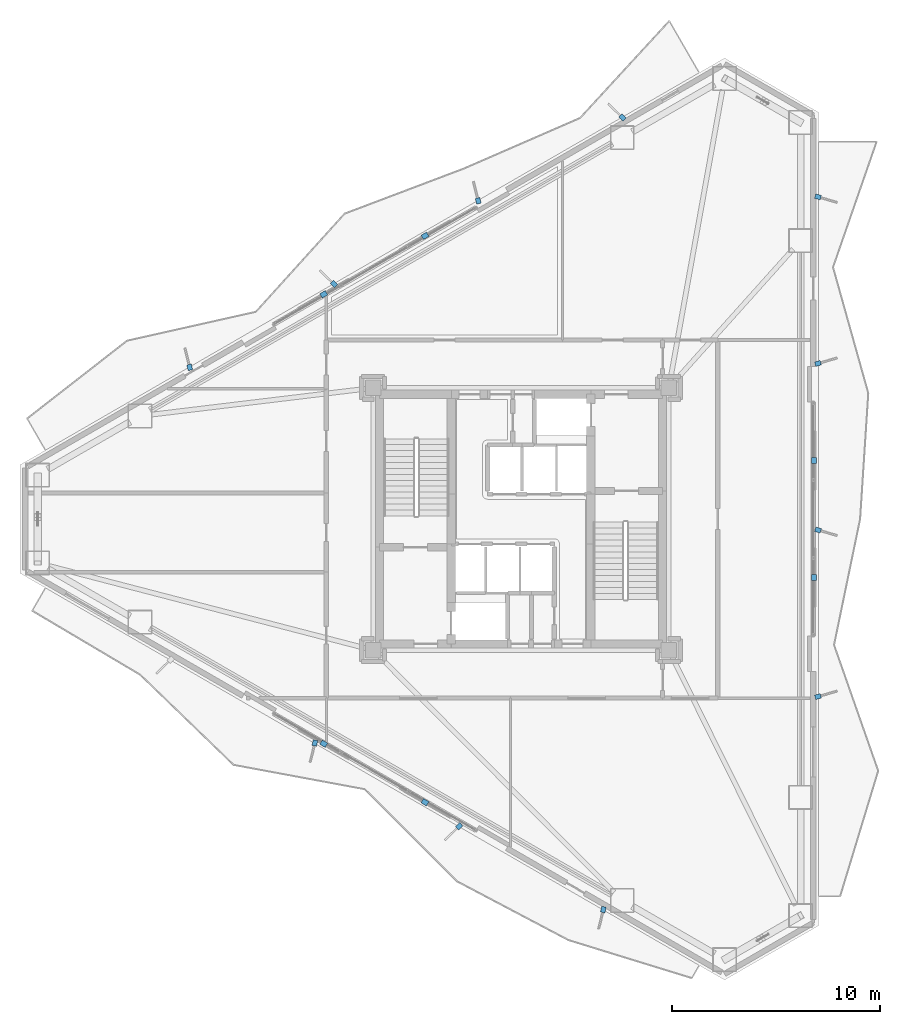
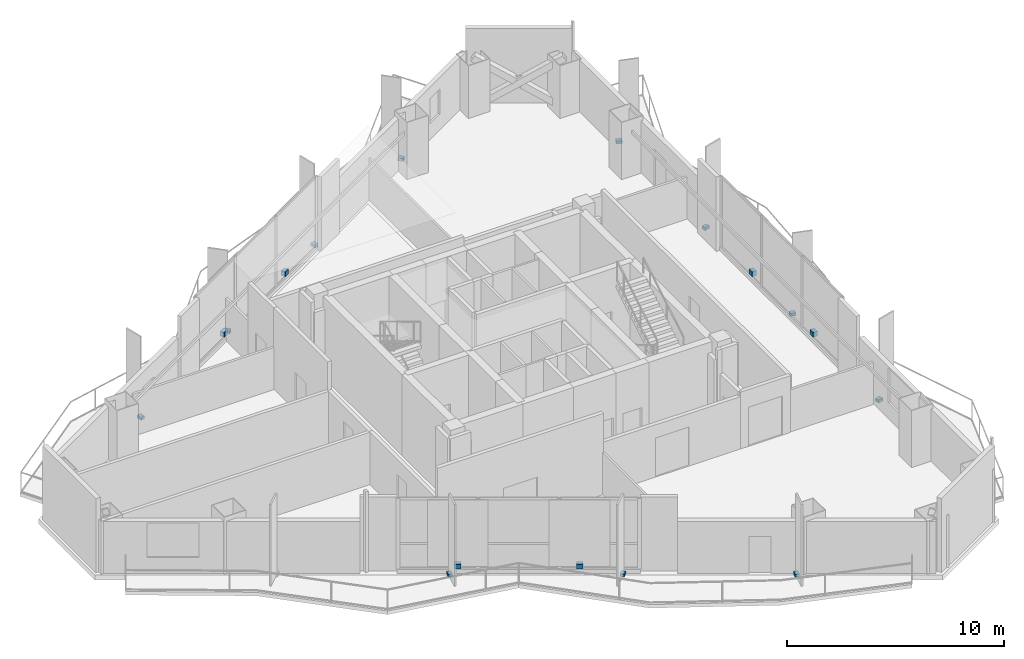
# One storey, part 18 of 20: 17 discrete accessories.
"""IFC4 building model written with IfcOpenShell, lengths in metres."""

from ifc_helpers import new_model, si_unit, direction, frame, origin, origin_2d, place, context, subcontext, project, spatial, rectangle, extrude, material, layer, layer_set, type_object, element, save


model = new_model("IFC4")

# Units and contexts
model_context = context("Model", 3, precision=1e-05, world=origin(), true_north=direction((0.0, 1.0)))
body_context = subcontext(model_context, "Body", "Model", "MODEL_VIEW")
ifc_project = project(units=[si_unit("LENGTHUNIT", "METRE"), si_unit("AREAUNIT", "SQUARE_METRE"), si_unit("VOLUMEUNIT", "CUBIC_METRE"), si_unit("PLANEANGLEUNIT", "RADIAN"), si_unit("MASSUNIT", "GRAM", prefix="KILO")], contexts=[model_context])

# Site, building, storey
site_placement = place(None, origin())
site = spatial("IfcSite", under=ifc_project, at=site_placement, CompositionType="ELEMENT")
building_placement = place(site_placement, origin())
building = spatial("IfcBuilding", under=site, at=building_placement, Name="Mersakhor Tower and Convention Hall", CompositionType="ELEMENT")
storey_placement = place(building_placement, frame((0.0, 0.0, 116.39990234375)))
storey = spatial("IfcBuildingStorey", under=building, at=storey_placement, Name="L32", CompositionType="ELEMENT", Elevation=116.39990234375)

# Discrete accessories
ifc_material = material(Name="Galvanised steel bracket", Category="steel")
ifc_layer = layer(ifc_material, 0.02001953125)
ifc_layer_set = layer_set([ifc_layer], Name="Galvanised steel bracket")
discrete_accessory_type = type_object("IfcDiscreteAccessoryType", Name="ACC-BRK-STL", PredefinedType="BRACKET", material=ifc_layer_set)
for number, where, z_axis, x_axis, name in (
    (1, (19.5263671875, 37.5439453125, 0.2900390625), (0.0, 0.0, 1.0), (0.866025403784, 0.5, 0.0), "L32 Solar Screen Outrigger Bracket BRK-1-1"),
    (2, (24.388916015625, 40.351318359375, 0.2900390625), (0.0, 0.0, 1.0), (0.866025403784, 0.5, 0.0), "L32 Solar Screen Outrigger Bracket BRK-1-2"),
):
    element("IfcDiscreteAccessory", number, at=place(storey_placement, frame(where, z_axis=z_axis, x_axis=x_axis)), inside=storey, type_object=discrete_accessory_type, Name=name, PredefinedType="BRACKET", context=body_context, shape_type="SweptSolid", body=[
        extrude(rectangle(XDim=0.300048828125, YDim=0.239990234375, at=origin_2d()), origin(), (0.0, 0.0, 1.0), 0.260009765625),
    ])
for number, where, z_axis, x_axis, name in (
    (3, (13.08740234375, 34.0341796875, -0.02001953125), (0.0, 0.0, 1.0), (-0.2419218956, 0.970295726276, 0.0), "L32 Facade Fin Base Cleat Bracket FBRK-1-1"),
    (4, (20.015380859375, 38.0341796875, -0.02001953125), (0.0, 0.0, 1.0), (-0.719339800339, 0.694658370459, 0.0), "L32 Facade Fin Base Cleat Bracket FBRK-1-2"),
    (5, (26.943603515625, 42.0341796875, -0.02001953125), (0.0, 0.0, 1.0), (-0.2419218956, 0.970295726276, 0.0), "L32 Facade Fin Base Cleat Bracket FBRK-1-3"),
    (6, (33.871826171875, 46.0341796875, -0.02001953125), (0.0, 0.0, 1.0), (-0.719339800339, 0.694658370459, 0.0), "L32 Facade Fin Base Cleat Bracket FBRK-1-4"),
):
    element("IfcDiscreteAccessory", number, at=place(storey_placement, frame(where, z_axis=z_axis, x_axis=x_axis)), inside=storey, type_object=discrete_accessory_type, Name=name, PredefinedType="BRACKET", context=body_context, shape_type="SweptSolid", body=[
        extrude(rectangle(XDim=0.280029296875, YDim=0.219970703125, at=origin_2d()), origin(), (0.0, 0.0, 1.0), 0.159912109375),
    ])
for number, where, z_axis, x_axis, name in (
    (7, (43.084716796875, 29.557373046875, 0.2900390625), (0.0, 0.0, 1.0), (0.0, -1.0, 0.0), "L32 Solar Screen Outrigger Bracket BRK-2-1"),
    (8, (43.084716796875, 23.942626953125, 0.2900390625), (0.0, 0.0, 1.0), (0.0, -1.0, 0.0), "L32 Solar Screen Outrigger Bracket BRK-2-2"),
):
    element("IfcDiscreteAccessory", number, at=place(storey_placement, frame(where, z_axis=z_axis, x_axis=x_axis)), inside=storey, type_object=discrete_accessory_type, Name=name, PredefinedType="BRACKET", context=body_context, shape_type="SweptSolid", body=[
        extrude(rectangle(XDim=0.300048828125, YDim=0.239990234375, at=origin_2d()), origin(), (0.0, 0.0, 1.0), 0.260009765625),
    ])
for number, where, z_axis, x_axis, name in (
    (9, (43.2646484375, 42.221923828125, -0.02001953125), (0.0, 0.0, 1.0), (0.961261695938, -0.275637355817, 0.0), "L32 Facade Fin Base Cleat Bracket FBRK-2-1"),
    (10, (43.2646484375, 34.221923828125, -0.02001953125), (0.0, 0.0, 1.0), (0.961261695938, 0.275637355817, 0.0), "L32 Facade Fin Base Cleat Bracket FBRK-2-2"),
    (11, (43.2646484375, 26.221923828125, -0.02001953125), (0.0, 0.0, 1.0), (0.961261695938, -0.275637355817, 0.0), "L32 Facade Fin Base Cleat Bracket FBRK-2-3"),
    (12, (43.2646484375, 18.221923828125, -0.02001953125), (0.0, 0.0, 1.0), (0.961261695938, 0.275637355817, 0.0), "L32 Facade Fin Base Cleat Bracket FBRK-2-4"),
):
    element("IfcDiscreteAccessory", number, at=place(storey_placement, frame(where, z_axis=z_axis, x_axis=x_axis)), inside=storey, type_object=discrete_accessory_type, Name=name, PredefinedType="BRACKET", context=body_context, shape_type="SweptSolid", body=[
        extrude(rectangle(XDim=0.280029296875, YDim=0.219970703125, at=origin_2d()), origin(), (0.0, 0.0, 1.0), 0.159912109375),
    ])
for number, where, z_axis, x_axis, name in (
    (13, (24.388916015625, 13.148681640625, 0.2900390625), (0.0, 0.0, 1.0), (-0.866025403784, 0.5, 0.0), "L32 Solar Screen Outrigger Bracket BRK-3-1"),
    (14, (19.526611328125, 15.9560546875, 0.2900390625), (0.0, 0.0, 1.0), (-0.866025403784, 0.5, 0.0), "L32 Solar Screen Outrigger Bracket BRK-3-2"),
):
    element("IfcDiscreteAccessory", number, at=place(storey_placement, frame(where, z_axis=z_axis, x_axis=x_axis)), inside=storey, type_object=discrete_accessory_type, Name=name, PredefinedType="BRACKET", context=body_context, shape_type="SweptSolid", body=[
        extrude(rectangle(XDim=0.300048828125, YDim=0.239990234375, at=origin_2d()), origin(), (0.0, 0.0, 1.0), 0.260009765625),
    ])
for number, where, z_axis, x_axis, name in (
    (15, (32.95751953125, 7.993896484375, -0.02001953125), (0.0, 0.0, 1.0), (-0.2419218956, -0.970295726276, 0.0), "L32 Facade Fin Base Cleat Bracket FBRK-3-1"),
    (16, (26.029296875, 11.993896484375, -0.02001953125), (0.0, 0.0, 1.0), (-0.719339800339, -0.694658370459, 0.0), "L32 Facade Fin Base Cleat Bracket FBRK-3-2"),
    (17, (19.10107421875, 15.993896484375, -0.02001953125), (0.0, 0.0, 1.0), (-0.2419218956, -0.970295726276, 0.0), "L32 Facade Fin Base Cleat Bracket FBRK-3-3"),
):
    element("IfcDiscreteAccessory", number, at=place(storey_placement, frame(where, z_axis=z_axis, x_axis=x_axis)), inside=storey, type_object=discrete_accessory_type, Name=name, PredefinedType="BRACKET", context=body_context, shape_type="SweptSolid", body=[
        extrude(rectangle(XDim=0.280029296875, YDim=0.219970703125, at=origin_2d()), origin(), (0.0, 0.0, 1.0), 0.159912109375),
    ])

save(model, "model.ifc")
